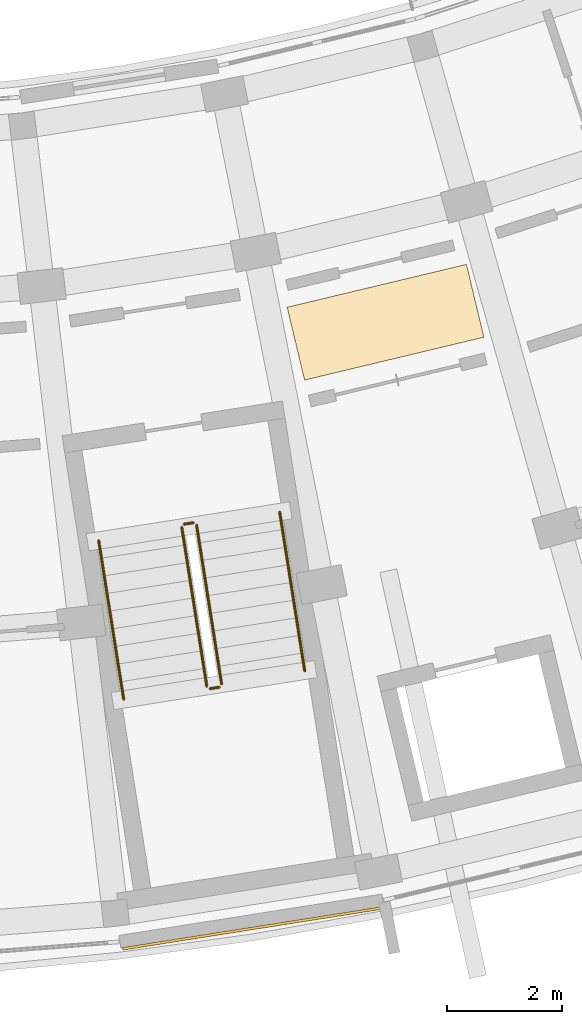
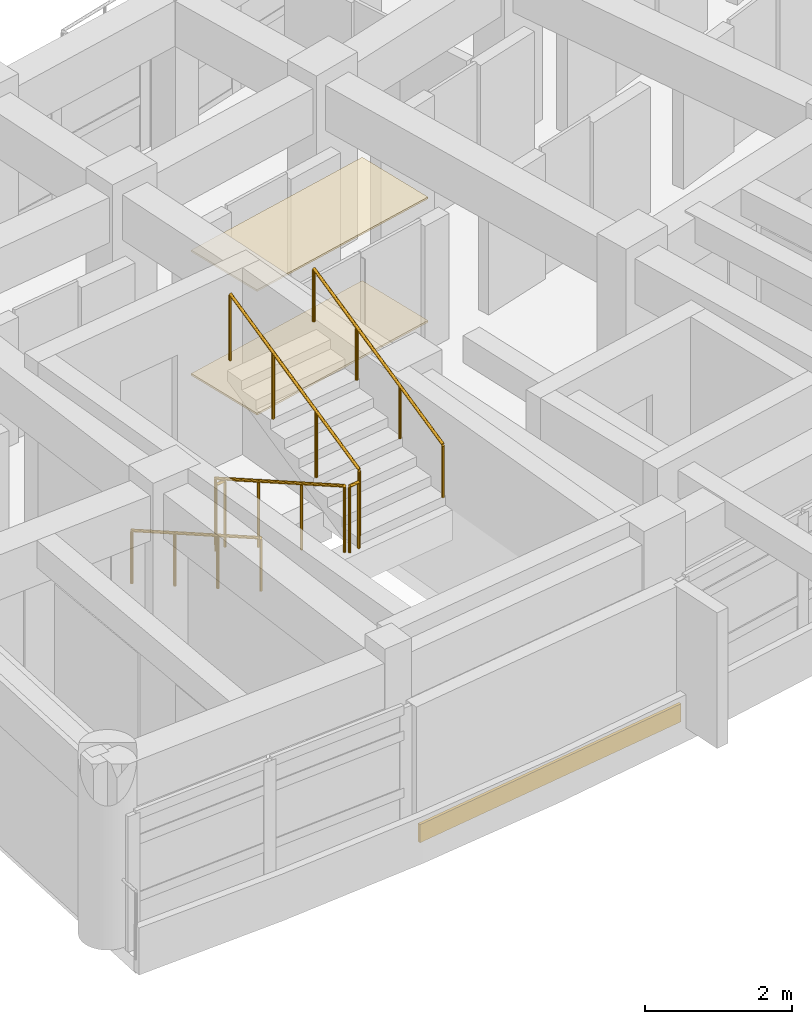
# One storey, part 54 of 56: 6 railings, 3 coverings.
"""IFC4 building model written with IfcOpenShell, lengths in metres."""

import ifcopenshell
import ifcopenshell.guid

model = None  # the IFC model being written
_history = None  # IfcOwnerHistory: only IFC2X3 demands one
_inside = {}  # id of a spatial element -> (the spatial element, [elements in it])
_under = {}  # id of a project, library or spatial element -> (it, [spatial elements below it])
_declared = {}  # id of a project -> (the project, [libraries it declares])
_typed = {}  # id of a type object -> (the type object, [elements of that type])
_made_of = {}  # id of a material, layer set ... -> (it, [elements and type objects made of it])


def new_model(schema):
    """Start an empty IFC model of exactly this schema.

    Asked for "IFC4X3", IfcOpenShell would pick the latest addendum, in which some entities
    have other attributes; the version numbers below select the first issue.
    IFC2X3 requires an IfcOwnerHistory on every rooted entity: one is made here for all.
    """
    global model, _history
    if schema == "IFC4X3":
        model = ifcopenshell.file(schema_version=(4, 3, 0, 0))
    else:
        model = ifcopenshell.file(schema=schema)
    _inside.clear()
    _under.clear()
    _declared.clear()
    _typed.clear()
    _made_of.clear()
    _history = None
    if model.schema == "IFC2X3":
        org = make("IfcOrganization", Name="unknown")
        user = make(
            "IfcPersonAndOrganization",
            ThePerson=make("IfcPerson", FamilyName="unknown"),
            TheOrganization=org,
        )
        app = make(
            "IfcApplication",
            ApplicationDeveloper=org,
            Version="unknown",
            ApplicationFullName="unknown",
            ApplicationIdentifier="unknown",
        )
        _history = make(
            "IfcOwnerHistory",
            OwningUser=user,
            OwningApplication=app,
            ChangeAction="ADDED",
            CreationDate=0,
        )
    return model


def make(cls, **values):
    """One entity of the class cls with the attributes given. An attribute that is None is left unset."""
    return model.create_entity(
        cls, **{name: value for name, value in values.items() if value is not None}
    )


def rooted(cls, **values):
    """An entity with a GlobalId (a new one), such as an element, a storey or a relation."""
    return make(cls, GlobalId=ifcopenshell.guid.new(), OwnerHistory=_history, **values)


def si_unit(unit_type, name, prefix=None):
    """IfcSIUnit, for example si_unit("LENGTHUNIT", "METRE", prefix="MILLI")."""
    return make("IfcSIUnit", UnitType=unit_type, Prefix=prefix, Name=name)


def assignment(units):
    """IfcUnitAssignment: the units of a project."""
    return None if units is None else make("IfcUnitAssignment", Units=units)


def point(xyz):
    """IfcCartesianPoint."""
    return None if xyz is None else make("IfcCartesianPoint", Coordinates=xyz)


def direction(xyz):
    """IfcDirection."""
    return None if xyz is None else make("IfcDirection", DirectionRatios=xyz)


def frame(location, z_axis=None, x_axis=None):
    """IfcAxis2Placement3D, a coordinate frame: its origin and axes. An axis left out is left unset."""
    return make(
        "IfcAxis2Placement3D",
        Location=point(location),
        Axis=direction(z_axis),
        RefDirection=direction(x_axis),
    )


def frame_2d(location, x_axis=None):
    """IfcAxis2Placement2D, a coordinate frame in the plane: its origin and x axis."""
    return make(
        "IfcAxis2Placement2D", Location=point(location), RefDirection=direction(x_axis)
    )


def origin():
    """The frame at (0, 0, 0) with its axes left unset."""
    return frame((0.0, 0.0, 0.0))


def origin_2d():
    """The frame at (0, 0) in the plane with its x axis left unset."""
    return frame_2d((0.0, 0.0))


def place(relative_to, where):
    """IfcLocalPlacement: puts the frame where relative to a parent placement (None: the world)."""
    return make(
        "IfcLocalPlacement", PlacementRelTo=relative_to, RelativePlacement=where
    )


def context(
    kind, dimensions, precision=None, world=None, true_north=None, identifier=None
):
    """IfcGeometricRepresentationContext, for example the 3D "Model" context."""
    return make(
        "IfcGeometricRepresentationContext",
        ContextIdentifier=identifier,
        ContextType=kind,
        CoordinateSpaceDimension=dimensions,
        Precision=precision,
        WorldCoordinateSystem=world,
        TrueNorth=true_north,
    )


def subcontext(parent, identifier, kind, view, scale=None):
    """IfcGeometricRepresentationSubContext, for example "Body" below "Model"."""
    return make(
        "IfcGeometricRepresentationSubContext",
        ContextIdentifier=identifier,
        ContextType=kind,
        ParentContext=parent,
        TargetScale=scale,
        TargetView=view,
    )


def project(units=None, contexts=None):
    """IfcProject with its units and contexts."""
    return rooted(
        "IfcProject",
        Name="project",
        RepresentationContexts=contexts,
        UnitsInContext=assignment(units),
    )


def spatial(cls, under=None, at=None, **own):
    """A site, building, storey or space (cls), placed at a placement, below another one or the project."""
    s = rooted(cls, ObjectPlacement=at, **own)
    if under is not None:
        _under.setdefault(under.id(), (under, []))[1].append(s)
    return s


def profile(cls, at=None, kind="AREA", **sizes):
    """A parametric profile (cls). Its sizes go by their IFC names, for example OverallWidth=200.0."""
    return make(cls, ProfileType=kind, Position=at, **sizes)


def rectangle(**sizes):
    """IfcRectangleProfileDef."""
    return profile("IfcRectangleProfileDef", **sizes)


def circle(**sizes):
    """IfcCircleProfileDef."""
    return profile("IfcCircleProfileDef", **sizes)


def extrude(swept, where, along, depth):
    """IfcExtrudedAreaSolid: the profile swept, set in the frame where, extruded along a direction by depth."""
    return make(
        "IfcExtrudedAreaSolid",
        SweptArea=swept,
        Position=where,
        ExtrudedDirection=direction(along),
        Depth=depth,
    )


def shape(context_of_items, identifier, shape_type, items):
    """IfcShapeRepresentation: the items that make up one representation, for example the "Body"."""
    return make(
        "IfcShapeRepresentation",
        ContextOfItems=context_of_items,
        RepresentationIdentifier=identifier,
        RepresentationType=shape_type,
        Items=items,
    )


def material(Name=None, Category=None):
    """IfcMaterial."""
    return make("IfcMaterial", Name=Name, Category=Category)


def layer(
    of_material, thickness, ventilated=None, Name=None, Category=None, Priority=None
):
    """IfcMaterialLayer: one layer of a wall or slab, of a material (None: an air gap)."""
    return make(
        "IfcMaterialLayer",
        Material=of_material,
        LayerThickness=thickness,
        IsVentilated=ventilated,
        Name=Name,
        Category=Category,
        Priority=Priority,
    )


def layer_set(layers, Name=None):
    """IfcMaterialLayerSet."""
    return make("IfcMaterialLayerSet", MaterialLayers=layers, LayerSetName=Name)


def made_of(thing, what):
    """Note that an element or type object is made of a material, layer set ...; save() writes the relation."""
    if what is not None:
        _made_of.setdefault(what.id(), (what, []))[1].append(thing)
    return thing


def type_object(cls, material=None, **own):
    """A type object (cls), such as IfcWallType, which elements share."""
    return made_of(rooted(cls, **own), material)


def element(
    cls,
    number,
    at=None,
    inside=None,
    cuts=None,
    type_object=None,
    material=None,
    context=None,
    identifier="Body",
    shape_type=None,
    held_by="IfcProductDefinitionShape",
    body=None,
    shapes=None,
    **own,
):
    """One element of the class cls, such as IfcWall. Its Tag is "e" and its number.

    at: its placement. inside: the storey or other place that contains it. cuts: it is an
    opening in that element (IfcRelVoidsElement). A single representation is given by context,
    identifier, shape_type and body (its items); several are given by shapes. held_by: the class
    of the entity that holds the representations. save() writes the other relations.
    """
    e = rooted(cls, Tag="e%d" % number, ObjectPlacement=at, **own)
    if body is not None:
        shapes = [shape(context, identifier, shape_type, body)]
    if shapes is not None:
        e.Representation = make(held_by, Representations=shapes)
    if inside is not None:
        _inside.setdefault(inside.id(), (inside, []))[1].append(e)
    if cuts is not None:
        rooted(
            "IfcRelVoidsElement", RelatingBuildingElement=cuts, RelatedOpeningElement=e
        )
    if type_object is not None:
        _typed.setdefault(type_object.id(), (type_object, []))[1].append(e)
    return made_of(e, material)


def aggregate(whole, parts):
    """IfcRelAggregates: a whole, such as a stair, and the parts it consists of."""
    return rooted("IfcRelAggregates", RelatingObject=whole, RelatedObjects=parts)


def save(model, path):
    """Write the relations noted so far, then the file.

    IfcRelAggregates (storeys below a building ...), IfcRelContainedInSpatialStructure (elements
    in a storey), IfcRelDefinesByType, IfcRelAssociatesMaterial and IfcRelDeclares: one each for
    every whole, place, type object, material and project.
    """
    for whole, parts in _under.values():
        aggregate(whole, parts)
    for where, things in _inside.values():
        rooted(
            "IfcRelContainedInSpatialStructure",
            RelatedElements=things,
            RelatingStructure=where,
        )
    for kind, things in _typed.values():
        rooted("IfcRelDefinesByType", RelatedObjects=things, RelatingType=kind)
    for what, things in _made_of.values():
        rooted("IfcRelAssociatesMaterial", RelatedObjects=things, RelatingMaterial=what)
    for by, libraries in _declared.values():
        rooted("IfcRelDeclares", RelatingContext=by, RelatedDefinitions=libraries)
    model.write(path)


model = new_model("IFC4")

# Units and contexts
model_context = context("Model", 3, precision=1e-05, world=origin(), true_north=direction((0.0, 1.0)))
body_context = subcontext(model_context, "Body", "Model", "MODEL_VIEW")
ifc_project = project(units=[si_unit("LENGTHUNIT", "METRE"), si_unit("AREAUNIT", "SQUARE_METRE"), si_unit("VOLUMEUNIT", "CUBIC_METRE"), si_unit("PLANEANGLEUNIT", "RADIAN"), si_unit("MASSUNIT", "GRAM", prefix="KILO")], contexts=[model_context])

# Site, building, storey
site_placement = place(None, origin())
site = spatial("IfcSite", under=ifc_project, at=site_placement, CompositionType="ELEMENT")
building_placement = place(site_placement, origin())
building = spatial("IfcBuilding", under=site, at=building_placement, Name="Zimvara Arc Housing Community", CompositionType="ELEMENT")
storey_placement = place(building_placement, frame((0.0, 0.0, 11.199951171875)))
storey = spatial("IfcBuildingStorey", under=building, at=storey_placement, Name="L03", CompositionType="ELEMENT", Elevation=11.199951171875)

# Coverings
ifc_material_1 = material(Name="Pale-Gold Anodised Aluminium Cladding", Category="aluminium")
ifc_layer_1 = layer(ifc_material_1, 0.044921875)
ifc_layer_set_1 = layer_set([ifc_layer_1], Name="Pale-Gold Anodised Aluminium Cladding")
covering_type_1 = type_object("IfcCoveringType", Name="CLD-GOLD-02", PredefinedType="CLADDING", material=ifc_layer_set_1)
covering_1_placement = place(storey_placement, frame((135.23095703125, 51.120361328125, 0.01025390625), z_axis=(0.0, 0.0, 1.0), x_axis=(0.987824479318, 0.155572484907, 0.0)))
element("IfcCovering", 1, at=covering_1_placement, inside=storey, type_object=covering_type_1, Name="cld:blkD:L03:out:b1", PredefinedType="CLADDING", context=body_context, shape_type="SweptSolid", body=[
    extrude(rectangle(XDim=4.5625, YDim=0.044921875, at=origin_2d()), origin(), (0.0, 0.0, 1.0), 0.300048828125),
])
ifc_material_2 = material(Name="Perforated Acoustic Ceiling Board")
ifc_layer_2 = layer(ifc_material_2, 0.030029296875)
ifc_layer_set_2 = layer_set([ifc_layer_2], Name="Perforated Acoustic Ceiling Board")
covering_type_2 = type_object("IfcCoveringType", Name="COV-CEIL-04", PredefinedType="CEILING", material=ifc_layer_set_2)
covering_2_placement = place(storey_placement, frame((137.53955078125, 61.639404296875, 2.0498046875), z_axis=(0.0, 0.0, 1.0), x_axis=(0.232596722241, -0.972573269632, 0.0)))
element("IfcCovering", 2, at=covering_2_placement, inside=storey, type_object=covering_type_2, Name="ceil:blkD:L03", PredefinedType="CEILING", context=body_context, shape_type="SweptSolid", body=[
    extrude(rectangle(XDim=1.300048828125, YDim=3.199951171875, at=origin_2d()), origin(), (0.0, 0.0, 1.0), 0.030029296875),
])
ifc_material_3 = material(Name="Polished Coastal Sand Terrazzo")
ifc_layer_3 = layer(ifc_material_3, 0.031982421875)
ifc_layer_set_3 = layer_set([ifc_layer_3], Name="Polished Coastal Sand Terrazzo")
covering_type_3 = type_object("IfcCoveringType", Name="COV-FLOR-04", PredefinedType="FLOORING", material=ifc_layer_set_3)
covering_3_placement = place(storey_placement, frame((137.53955078125, 61.639404296875, 0.0), z_axis=(0.0, 0.0, 1.0), x_axis=(0.232596722241, -0.972573269632, 0.0)))
element("IfcCovering", 3, at=covering_3_placement, inside=storey, type_object=covering_type_3, Name="flor:blkD:L03", PredefinedType="FLOORING", context=body_context, shape_type="SweptSolid", body=[
    extrude(rectangle(XDim=1.300048828125, YDim=3.199951171875, at=origin_2d()), origin(), (0.0, 0.0, 1.0), 0.031982421875),
])

# Railings
ifc_material_4 = material(Name="Anodised Aluminium AW-6063", Category="aluminium")
railing_type_1 = type_object("IfcRailingType", Name="RLG-BAL-1120", PredefinedType="BALUSTRADE", material=ifc_material_4)
railing_1_placement = place(storey_placement, frame((134.003662109375, 58.077880859375, 0.155029296875)))
element("IfcRailing", 4, at=railing_1_placement, inside=storey, type_object=railing_type_1, Name="L03 ST-D1 stair guard 1", PredefinedType="BALUSTRADE", context=body_context, shape_type="SweptSolid", body=[
    extrude(circle(Radius=0.02392578125, at=origin_2d()), frame((0.0, 0.0, 1.09619140625), z_axis=(0.139155924824, -0.88353837758, 0.447208635795), x_axis=(0.98782319772, 0.155580622336, 0.0)), (0.0, 0.0, 1.0), 3.119384765625),
    extrude(circle(Radius=0.02099609375, at=origin_2d()), origin(), (0.0, 0.0, 1.0), 1.072021484375),
    extrude(circle(Radius=0.02099609375, at=origin_2d()), frame((0.144775390625, -0.918701171875, 0.465087890625)), (0.0, 0.0, 1.0), 1.072021484375),
    extrude(circle(Radius=0.02099609375, at=origin_2d()), frame((0.289306640625, -1.83740234375, 0.929931640625)), (0.0, 0.0, 1.0), 1.072021484375),
    extrude(circle(Radius=0.02099609375, at=origin_2d()), frame((0.43408203125, -2.756103515625, 1.39501953125)), (0.0, 0.0, 1.0), 1.072021484375),
])
railing_2_placement = place(storey_placement, frame((134.494873046875, 55.280029296875, 1.550048828125)))
element("IfcRailing", 5, at=railing_2_placement, inside=storey, type_object=railing_type_1, Name="L03 ST-D1 stair guard 2", PredefinedType="BALUSTRADE", context=body_context, shape_type="SweptSolid", body=[
    extrude(circle(Radius=0.02392578125, at=origin_2d()), frame((0.0, 0.0, 1.09619140625), z_axis=(0.987800074219, 0.155727368733, 0.0), x_axis=(-0.155727368733, 0.987800074219, 0.0)), (0.0, 0.0, 1.0), 0.159912109375),
    extrude(circle(Radius=0.02099609375, at=origin_2d()), origin(), (0.0, 0.0, 1.0), 1.072021484375),
    extrude(circle(Radius=0.02099609375, at=origin_2d()), frame((0.157958984375, 0.02490234375, 0.0)), (0.0, 0.0, 1.0), 1.072021484375),
])
railing_3_placement = place(storey_placement, frame((134.694580078125, 55.3623046875, 1.705078125)))
element("IfcRailing", 6, at=railing_3_placement, inside=storey, type_object=railing_type_1, Name="L03 ST-D1 stair guard 3", PredefinedType="BALUSTRADE", context=body_context, shape_type="SweptSolid", body=[
    extrude(circle(Radius=0.02392578125, at=origin_2d()), frame((0.0, 0.0, 1.09619140625), z_axis=(-0.139165548099, 0.883521207501, 0.447239562337), x_axis=(-0.987821079402, -0.155594071508, 0.0)), (0.0, 0.0, 1.0), 3.119140625),
    extrude(circle(Radius=0.02099609375, at=origin_2d()), origin(), (0.0, 0.0, 1.0), 1.072021484375),
    extrude(circle(Radius=0.02099609375, at=origin_2d()), frame((-0.144775390625, 0.918701171875, 0.465087890625)), (0.0, 0.0, 1.0), 1.072021484375),
    extrude(circle(Radius=0.02099609375, at=origin_2d()), frame((-0.289306640625, 1.837158203125, 0.929931640625)), (0.0, 0.0, 1.0), 1.072021484375),
    extrude(circle(Radius=0.02099609375, at=origin_2d()), frame((-0.43408203125, 2.755859375, 1.39501953125)), (0.0, 0.0, 1.0), 1.072021484375),
])
railing_4_placement = place(storey_placement, frame((134.045166015625, 58.135009765625, 0.0)))
element("IfcRailing", 7, at=railing_4_placement, inside=storey, type_object=railing_type_1, Name="L03 ST-D1 stair guard 4", PredefinedType="BALUSTRADE", context=body_context, shape_type="SweptSolid", body=[
    extrude(circle(Radius=0.02392578125, at=origin_2d()), frame((0.0, 0.0, 1.09619140625), z_axis=(0.987800074219, 0.155727368733, 0.0), x_axis=(-0.155727368733, 0.987800074219, 0.0)), (0.0, 0.0, 1.0), 0.159912109375),
    extrude(circle(Radius=0.02099609375, at=origin_2d()), origin(), (0.0, 0.0, 1.0), 1.072021484375),
    extrude(circle(Radius=0.02099609375, at=origin_2d()), frame((0.157958984375, 0.02490234375, 0.0)), (0.0, 0.0, 1.0), 1.072021484375),
])
ifc_material_5 = material(Name="Anodised Aluminium AW-6063", Category="aluminium")
railing_type_2 = type_object("IfcRailingType", Name="RLG-HND-900", PredefinedType="HANDRAIL", material=ifc_material_5)
railing_5_placement = place(storey_placement, frame((132.561279296875, 57.8505859375, 0.155029296875)))
element("IfcRailing", 8, at=railing_5_placement, inside=storey, type_object=railing_type_2, Name="L03 ST-D1 stair handrail 1", PredefinedType="HANDRAIL", context=body_context, shape_type="SweptSolid", body=[
    extrude(circle(Radius=0.02392578125, at=origin_2d()), frame((0.0, 0.0, 0.8759765625), z_axis=(0.139165548099, -0.883521207501, 0.447239562337), x_axis=(0.987821079402, 0.155594071508, 0.0)), (0.0, 0.0, 1.0), 3.119140625),
    extrude(circle(Radius=0.02099609375, at=origin_2d()), origin(), (0.0, 0.0, 1.0), 0.851806640625),
    extrude(circle(Radius=0.02099609375, at=origin_2d()), frame((0.144775390625, -0.918701171875, 0.465087890625)), (0.0, 0.0, 1.0), 0.851806640625),
    extrude(circle(Radius=0.02099609375, at=origin_2d()), frame((0.289306640625, -1.837158203125, 0.929931640625)), (0.0, 0.0, 1.0), 0.851806640625),
    extrude(circle(Radius=0.02099609375, at=origin_2d()), frame((0.43408203125, -2.755859375, 1.39501953125)), (0.0, 0.0, 1.0), 0.851806640625),
])
railing_6_placement = place(storey_placement, frame((136.13671875, 55.58935546875, 1.705078125)))
element("IfcRailing", 9, at=railing_6_placement, inside=storey, type_object=railing_type_2, Name="L03 ST-D1 stair handrail 2", PredefinedType="HANDRAIL", context=body_context, shape_type="SweptSolid", body=[
    extrude(circle(Radius=0.02392578125, at=origin_2d()), frame((0.0, 0.0, 0.8759765625), z_axis=(-0.139155924824, 0.88353837758, 0.447208635795), x_axis=(-0.98782319772, -0.155580622336, 0.0)), (0.0, 0.0, 1.0), 3.119384765625),
    extrude(circle(Radius=0.02099609375, at=origin_2d()), origin(), (0.0, 0.0, 1.0), 0.851806640625),
    extrude(circle(Radius=0.02099609375, at=origin_2d()), frame((-0.144775390625, 0.918701171875, 0.465087890625)), (0.0, 0.0, 1.0), 0.851806640625),
    extrude(circle(Radius=0.02099609375, at=origin_2d()), frame((-0.289306640625, 1.83740234375, 0.929931640625)), (0.0, 0.0, 1.0), 0.851806640625),
    extrude(circle(Radius=0.02099609375, at=origin_2d()), frame((-0.43408203125, 2.756103515625, 1.39501953125)), (0.0, 0.0, 1.0), 0.851806640625),
])

save(model, "model.ifc")
